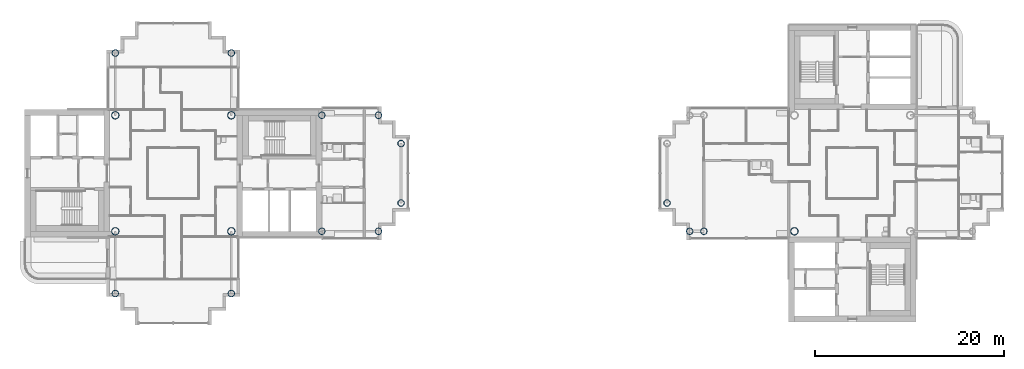
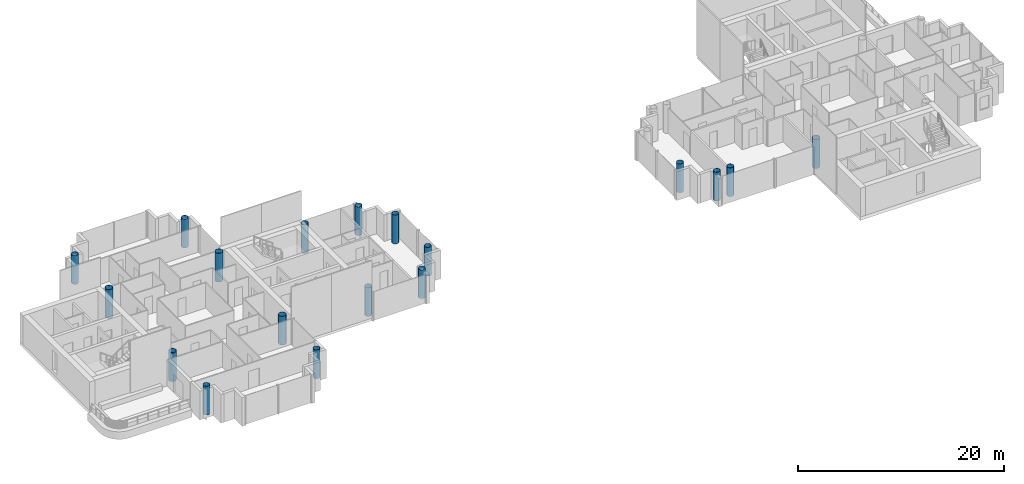
# One storey, part 1 of 18: 18 columns.
"""IFC4 building model written with IfcOpenShell, lengths in metres."""

from ifc_helpers import new_model, si_unit, direction, frame, origin, origin_2d, place, context, subcontext, project, spatial, hollow_circle, extrude, material, material_profile, profile_set, type_object, element, save


model = new_model("IFC4")

# Units and contexts
model_context = context("Model", 3, precision=1e-05, world=origin(), true_north=direction((0.0, 1.0)))
body_context = subcontext(model_context, "Body", "Model", "MODEL_VIEW")
ifc_project = project(units=[si_unit("LENGTHUNIT", "METRE"), si_unit("AREAUNIT", "SQUARE_METRE"), si_unit("VOLUMEUNIT", "CUBIC_METRE"), si_unit("PLANEANGLEUNIT", "RADIAN"), si_unit("MASSUNIT", "GRAM", prefix="KILO")], contexts=[model_context])

# Site, building, storey
site_placement = place(None, origin())
site = spatial("IfcSite", under=ifc_project, at=site_placement, CompositionType="ELEMENT")
building_placement = place(site_placement, origin())
building = spatial("IfcBuilding", under=site, at=building_placement, Name="Ipe Terrace Towers", CompositionType="ELEMENT")
storey_placement = place(building_placement, frame((0.0, 0.0, 192.60009765625)))
storey = spatial("IfcBuildingStorey", under=building, at=storey_placement, Name="L53", CompositionType="ELEMENT", Elevation=192.60009765625)

# Columns
ifc_material_1 = material(Name="Steel S355 tube with Concrete C60/75 fill", Category="concrete")
ifc_material_profile_1 = material_profile(ifc_material_1, hollow_circle(Radius=0.35009765625, WallThickness=0.02490234375, at=origin_2d()), Name="CHS-700x25")
ifc_profile_set_1 = profile_set([ifc_material_profile_1], Name="Steel S355 tube with Concrete C60/75 fill")
column_type_1 = type_object("IfcColumnType", Name="CH08 COLUMN CHS-700x25", PredefinedType="COLUMN", material=ifc_profile_set_1)
for number, where, z_axis, x_axis, name in (
    (1, (-20.25, -6.14990234375, 0.0), (0.0, 0.0, 1.0), (1.0, 0.0, 0.0), "Column T1-C-A01"),
    (2, (-20.25, 6.14990234375, 0.0), (0.0, 0.0, 1.0), (1.0, 0.0, 0.0), "Column T1-C-A02"),
    (3, (-14.25, -6.14990234375, 0.0), (0.0, 0.0, 1.0), (1.0, 0.0, 0.0), "Column T1-C-A03"),
    (4, (-14.25, 6.14990234375, 0.0), (0.0, 0.0, 1.0), (1.0, 0.0, 0.0), "Column T1-C-A04"),
    (5, (-11.85009765625, -3.14990234375, 0.0), (0.0, 0.0, 1.0), (1.0, 0.0, 0.0), "Column T1-C-A05"),
    (6, (-11.85009765625, 3.14990234375, 0.0), (0.0, 0.0, 1.0), (1.0, 0.0, 0.0), "Column T1-C-A06"),
    (7, (-29.85009765625, 12.75, 0.0), (0.0, 0.0, 1.0), (1.0, 0.0, 0.0), "Column T1-C-B01"),
    (8, (-42.14990234375, 12.75, 0.0), (0.0, 0.0, 1.0), (1.0, 0.0, 0.0), "Column T1-C-B02"),
    (9, (-42.14990234375, -12.75, 0.0), (0.0, 0.0, 1.0), (1.0, 0.0, 0.0), "Column T1-C-D01"),
    (10, (-29.85009765625, -12.75, 0.0), (0.0, 0.0, 1.0), (1.0, 0.0, 0.0), "Column T1-C-D02"),
    (11, (20.25, -6.14990234375, 0.0), (0.0, 0.0, 1.0), (1.0, 0.0, 0.0), "Column T2-C-B04"),
    (12, (18.75, -6.14990234375, 0.0), (0.0, 0.0, 1.0), (1.0, 0.0, 0.0), "Column T2-C-B06"),
    (13, (16.35009765625, -3.14990234375, 0.0), (0.0, 0.0, 1.0), (1.0, 0.0, 0.0), "Column T2-C-B08"),
):
    element("IfcColumn", number, at=place(storey_placement, frame(where, z_axis=z_axis, x_axis=x_axis)), inside=storey, type_object=column_type_1, Name=name, PredefinedType="COLUMN", context=body_context, shape_type="SweptSolid", body=[
        extrude(hollow_circle(Radius=0.35009765625, WallThickness=0.02490234375, at=origin_2d()), origin(), (0.0, 0.0, 1.0), 3.39990234375),
    ])
ifc_material_2 = material(Name="Steel S355 tube with Concrete C60/75 fill", Category="concrete")
ifc_material_profile_2 = material_profile(ifc_material_2, hollow_circle(Radius=0.39990234375, WallThickness=0.028076171875, at=origin_2d()), Name="CHS-800x28")
ifc_profile_set_2 = profile_set([ifc_material_profile_2], Name="Steel S355 tube with Concrete C60/75 fill")
column_type_2 = type_object("IfcColumnType", Name="CH09 COLUMN CHS-800x28", PredefinedType="COLUMN", material=ifc_profile_set_2)
for number, where, z_axis, x_axis, name in (
    (14, (-42.14990234375, -6.14990234375, 0.0), (0.0, 0.0, 1.0), (1.0, 0.0, 0.0), "Column T1-C-E01"),
    (15, (-29.85009765625, -6.14990234375, 0.0), (0.0, 0.0, 1.0), (1.0, 0.0, 0.0), "Column T1-C-E02"),
    (16, (-29.85009765625, 6.14990234375, 0.0), (0.0, 0.0, 1.0), (1.0, 0.0, 0.0), "Column T1-C-E03"),
    (17, (-42.14990234375, 6.14990234375, 0.0), (0.0, 0.0, 1.0), (1.0, 0.0, 0.0), "Column T1-C-E04"),
    (18, (29.85009765625, -6.14990234375, 0.0), (0.0, 0.0, 1.0), (1.0, 0.0, 0.0), "Column T2-C-E04"),
):
    element("IfcColumn", number, at=place(storey_placement, frame(where, z_axis=z_axis, x_axis=x_axis)), inside=storey, type_object=column_type_2, Name=name, PredefinedType="COLUMN", context=body_context, shape_type="SweptSolid", body=[
        extrude(hollow_circle(Radius=0.39990234375, WallThickness=0.028076171875, at=origin_2d()), origin(), (0.0, 0.0, 1.0), 3.39990234375),
    ])

save(model, "model.ifc")
